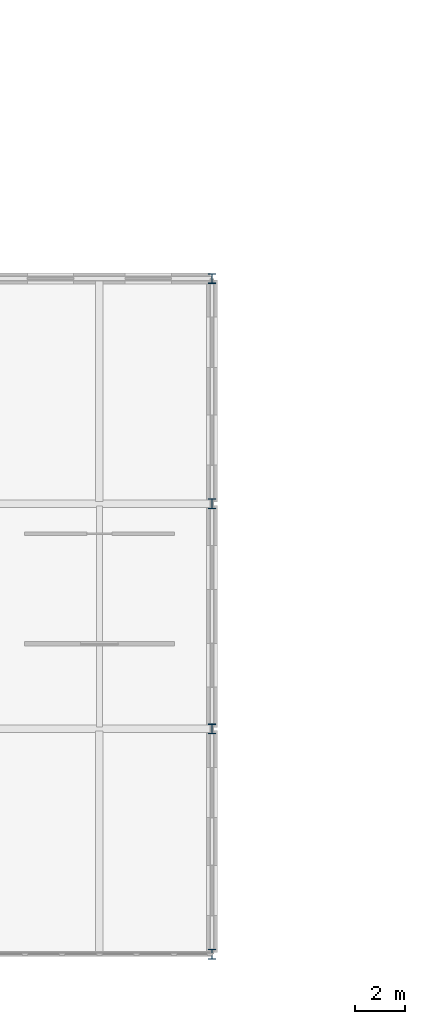
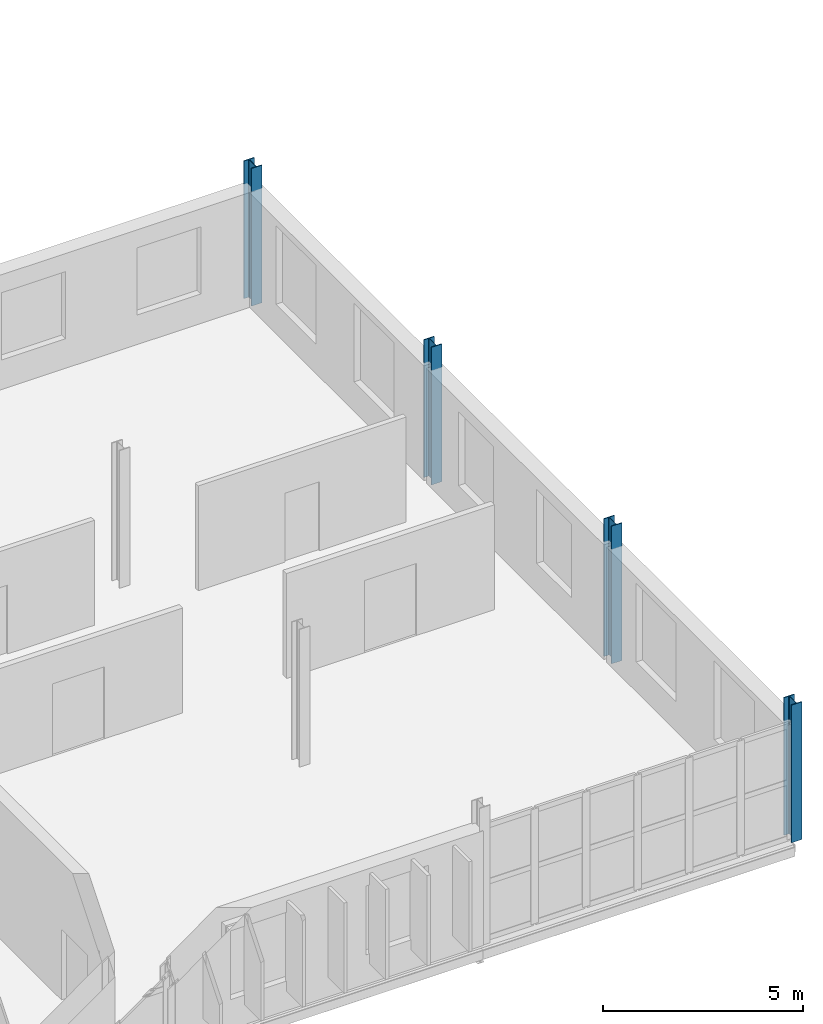
# One storey, part 21 of 161: 4 columns.
"""IFC4 building model written with IfcOpenShell, lengths in metres."""

from ifc_helpers import new_model, si_unit, direction, frame, origin, origin_2d, place, context, subcontext, project, spatial, i_section, extrude, material, material_profile, profile_set, type_object, element, save


model = new_model("IFC4")

# Units and contexts
model_context = context("Model", 3, precision=1e-05, world=origin(), true_north=direction((0.0, 1.0)))
body_context = subcontext(model_context, "Body", "Model", "MODEL_VIEW")
ifc_project = project(units=[si_unit("LENGTHUNIT", "METRE"), si_unit("AREAUNIT", "SQUARE_METRE"), si_unit("VOLUMEUNIT", "CUBIC_METRE"), si_unit("PLANEANGLEUNIT", "RADIAN"), si_unit("MASSUNIT", "GRAM", prefix="KILO")], contexts=[model_context])

# Site, building, storey
site_placement = place(None, origin())
site = spatial("IfcSite", under=ifc_project, at=site_placement, CompositionType="ELEMENT")
building_placement = place(site_placement, origin())
building = spatial("IfcBuilding", under=site, at=building_placement, Name="Kildeholm Park Wholesale Market", CompositionType="ELEMENT")
storey_placement = place(building_placement, frame((0.0, 0.0, 5.39990234375)))
storey = spatial("IfcBuildingStorey", under=building, at=storey_placement, Name="L01", CompositionType="ELEMENT", Elevation=5.39990234375)

# Columns
ifc_material = material(Name="Steel S355", Category="steel")
ifc_material_profile = material_profile(ifc_material, i_section(OverallWidth=0.300048828125, OverallDepth=0.39990234375, WebThickness=0.013427734375, FlangeThickness=0.02392578125, FilletRadius=0.027099609375, at=origin_2d()), Name="HEB 400")
ifc_profile_set = profile_set([ifc_material_profile], Name="Steel S355")
column_type = type_object("IfcColumnType", Name="Column C-S05 HEB 400", PredefinedType="COLUMN", material=ifc_profile_set)
for number, where, z_axis, x_axis, name in (
    (1, (198.0, 0.0, 0.0), (0.0, 0.0, 1.0), (1.0, 0.0, 0.0), "Column V5E-198-000 L01 COL-0870"),
    (2, (198.0, 9.0, 0.0), (0.0, 0.0, 1.0), (1.0, 0.0, 0.0), "Column V5E-198-009 L01 COL-0873"),
    (3, (198.0, 18.0, 0.0), (0.0, 0.0, 1.0), (1.0, 0.0, 0.0), "Column V5E-198-018 L01 COL-0876"),
    (4, (198.0, 27.0, 0.0), (0.0, 0.0, 1.0), (1.0, 0.0, 0.0), "Column V5E-198-027 L01 COL-0879"),
):
    element("IfcColumn", number, at=place(storey_placement, frame(where, z_axis=z_axis, x_axis=x_axis)), inside=storey, type_object=column_type, Name=name, PredefinedType="COLUMN", context=body_context, shape_type="SweptSolid", body=[
        extrude(i_section(OverallWidth=0.300048828125, OverallDepth=0.39990234375, WebThickness=0.013427734375, FlangeThickness=0.02392578125, FilletRadius=0.027099609375, at=origin_2d()), origin(), (0.0, 0.0, 1.0), 4.2001953125),
    ])

save(model, "model.ifc")
